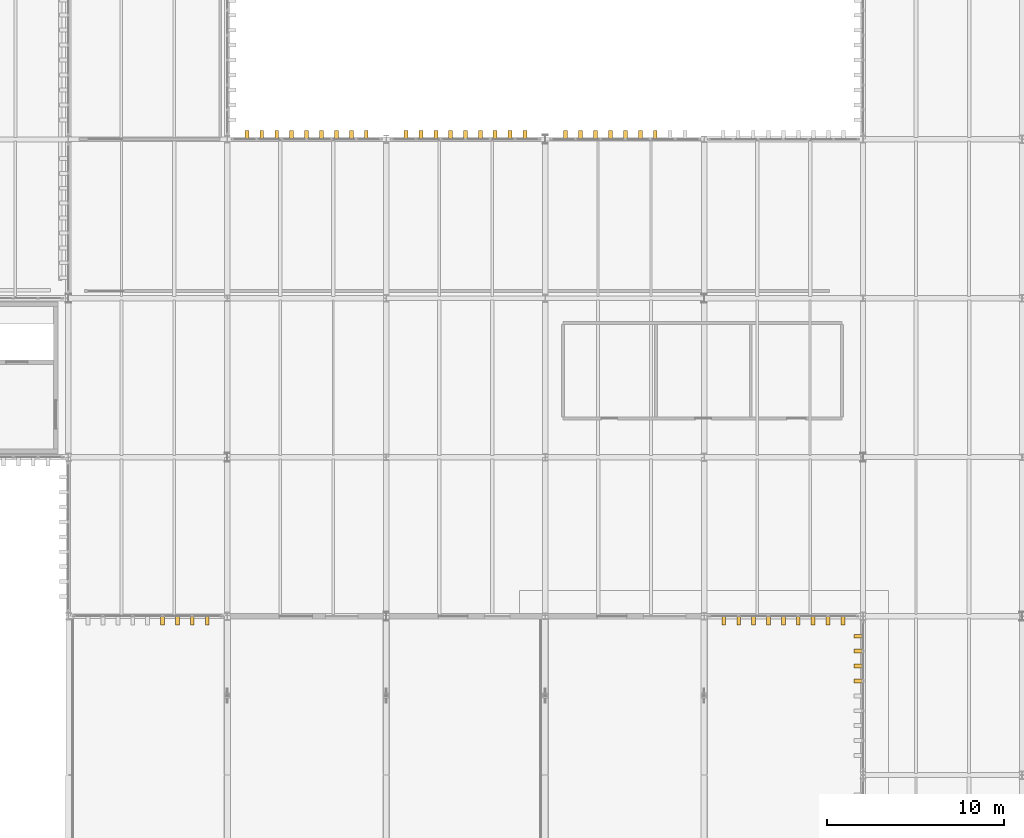
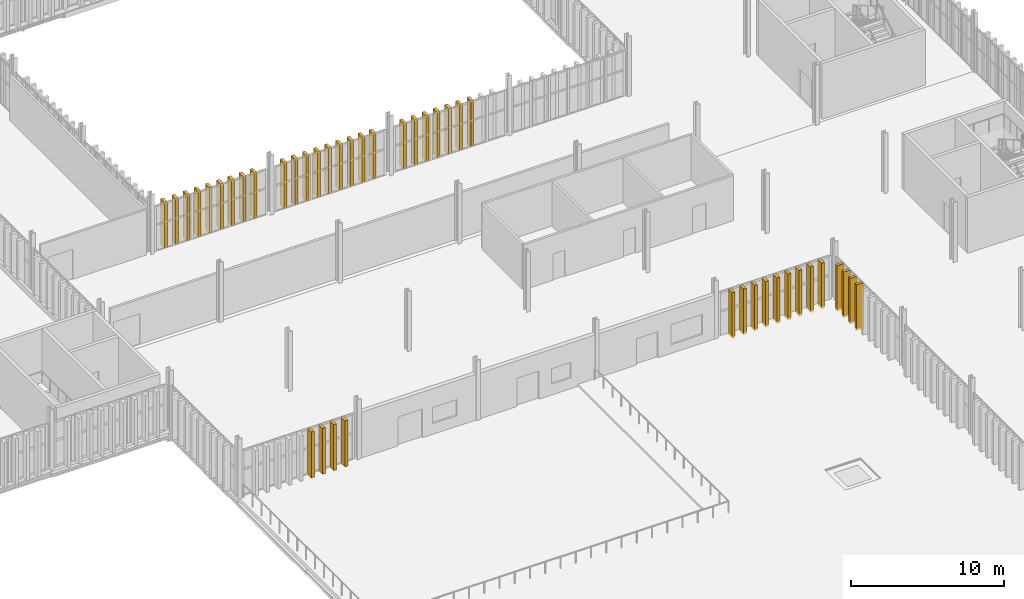
# One storey, part 189 of 196: 42 shading devices.
"""IFC4 building model written with IfcOpenShell, lengths in metres."""

import ifcopenshell
import ifcopenshell.guid

model = None  # the IFC model being written
_history = None  # IfcOwnerHistory: only IFC2X3 demands one
_inside = {}  # id of a spatial element -> (the spatial element, [elements in it])
_under = {}  # id of a project, library or spatial element -> (it, [spatial elements below it])
_declared = {}  # id of a project -> (the project, [libraries it declares])
_typed = {}  # id of a type object -> (the type object, [elements of that type])
_made_of = {}  # id of a material, layer set ... -> (it, [elements and type objects made of it])


def new_model(schema):
    """Start an empty IFC model of exactly this schema.

    Asked for "IFC4X3", IfcOpenShell would pick the latest addendum, in which some entities
    have other attributes; the version numbers below select the first issue.
    IFC2X3 requires an IfcOwnerHistory on every rooted entity: one is made here for all.
    """
    global model, _history
    if schema == "IFC4X3":
        model = ifcopenshell.file(schema_version=(4, 3, 0, 0))
    else:
        model = ifcopenshell.file(schema=schema)
    _inside.clear()
    _under.clear()
    _declared.clear()
    _typed.clear()
    _made_of.clear()
    _history = None
    if model.schema == "IFC2X3":
        org = make("IfcOrganization", Name="unknown")
        user = make(
            "IfcPersonAndOrganization",
            ThePerson=make("IfcPerson", FamilyName="unknown"),
            TheOrganization=org,
        )
        app = make(
            "IfcApplication",
            ApplicationDeveloper=org,
            Version="unknown",
            ApplicationFullName="unknown",
            ApplicationIdentifier="unknown",
        )
        _history = make(
            "IfcOwnerHistory",
            OwningUser=user,
            OwningApplication=app,
            ChangeAction="ADDED",
            CreationDate=0,
        )
    return model


def make(cls, **values):
    """One entity of the class cls with the attributes given. An attribute that is None is left unset."""
    return model.create_entity(
        cls, **{name: value for name, value in values.items() if value is not None}
    )


def rooted(cls, **values):
    """An entity with a GlobalId (a new one), such as an element, a storey or a relation."""
    return make(cls, GlobalId=ifcopenshell.guid.new(), OwnerHistory=_history, **values)


def si_unit(unit_type, name, prefix=None):
    """IfcSIUnit, for example si_unit("LENGTHUNIT", "METRE", prefix="MILLI")."""
    return make("IfcSIUnit", UnitType=unit_type, Prefix=prefix, Name=name)


def assignment(units):
    """IfcUnitAssignment: the units of a project."""
    return None if units is None else make("IfcUnitAssignment", Units=units)


def point(xyz):
    """IfcCartesianPoint."""
    return None if xyz is None else make("IfcCartesianPoint", Coordinates=xyz)


def direction(xyz):
    """IfcDirection."""
    return None if xyz is None else make("IfcDirection", DirectionRatios=xyz)


def frame(location, z_axis=None, x_axis=None):
    """IfcAxis2Placement3D, a coordinate frame: its origin and axes. An axis left out is left unset."""
    return make(
        "IfcAxis2Placement3D",
        Location=point(location),
        Axis=direction(z_axis),
        RefDirection=direction(x_axis),
    )


def frame_2d(location, x_axis=None):
    """IfcAxis2Placement2D, a coordinate frame in the plane: its origin and x axis."""
    return make(
        "IfcAxis2Placement2D", Location=point(location), RefDirection=direction(x_axis)
    )


def origin():
    """The frame at (0, 0, 0) with its axes left unset."""
    return frame((0.0, 0.0, 0.0))


def origin_2d():
    """The frame at (0, 0) in the plane with its x axis left unset."""
    return frame_2d((0.0, 0.0))


def place(relative_to, where):
    """IfcLocalPlacement: puts the frame where relative to a parent placement (None: the world)."""
    return make(
        "IfcLocalPlacement", PlacementRelTo=relative_to, RelativePlacement=where
    )


def context(
    kind, dimensions, precision=None, world=None, true_north=None, identifier=None
):
    """IfcGeometricRepresentationContext, for example the 3D "Model" context."""
    return make(
        "IfcGeometricRepresentationContext",
        ContextIdentifier=identifier,
        ContextType=kind,
        CoordinateSpaceDimension=dimensions,
        Precision=precision,
        WorldCoordinateSystem=world,
        TrueNorth=true_north,
    )


def subcontext(parent, identifier, kind, view, scale=None):
    """IfcGeometricRepresentationSubContext, for example "Body" below "Model"."""
    return make(
        "IfcGeometricRepresentationSubContext",
        ContextIdentifier=identifier,
        ContextType=kind,
        ParentContext=parent,
        TargetScale=scale,
        TargetView=view,
    )


def project(units=None, contexts=None):
    """IfcProject with its units and contexts."""
    return rooted(
        "IfcProject",
        Name="project",
        RepresentationContexts=contexts,
        UnitsInContext=assignment(units),
    )


def spatial(cls, under=None, at=None, **own):
    """A site, building, storey or space (cls), placed at a placement, below another one or the project."""
    s = rooted(cls, ObjectPlacement=at, **own)
    if under is not None:
        _under.setdefault(under.id(), (under, []))[1].append(s)
    return s


def profile(cls, at=None, kind="AREA", **sizes):
    """A parametric profile (cls). Its sizes go by their IFC names, for example OverallWidth=200.0."""
    return make(cls, ProfileType=kind, Position=at, **sizes)


def rectangle(**sizes):
    """IfcRectangleProfileDef."""
    return profile("IfcRectangleProfileDef", **sizes)


def extrude(swept, where, along, depth):
    """IfcExtrudedAreaSolid: the profile swept, set in the frame where, extruded along a direction by depth."""
    return make(
        "IfcExtrudedAreaSolid",
        SweptArea=swept,
        Position=where,
        ExtrudedDirection=direction(along),
        Depth=depth,
    )


def shape(context_of_items, identifier, shape_type, items):
    """IfcShapeRepresentation: the items that make up one representation, for example the "Body"."""
    return make(
        "IfcShapeRepresentation",
        ContextOfItems=context_of_items,
        RepresentationIdentifier=identifier,
        RepresentationType=shape_type,
        Items=items,
    )


def material(Name=None, Category=None):
    """IfcMaterial."""
    return make("IfcMaterial", Name=Name, Category=Category)


def made_of(thing, what):
    """Note that an element or type object is made of a material, layer set ...; save() writes the relation."""
    if what is not None:
        _made_of.setdefault(what.id(), (what, []))[1].append(thing)
    return thing


def type_object(cls, material=None, **own):
    """A type object (cls), such as IfcWallType, which elements share."""
    return made_of(rooted(cls, **own), material)


def element(
    cls,
    number,
    at=None,
    inside=None,
    cuts=None,
    type_object=None,
    material=None,
    context=None,
    identifier="Body",
    shape_type=None,
    held_by="IfcProductDefinitionShape",
    body=None,
    shapes=None,
    **own,
):
    """One element of the class cls, such as IfcWall. Its Tag is "e" and its number.

    at: its placement. inside: the storey or other place that contains it. cuts: it is an
    opening in that element (IfcRelVoidsElement). A single representation is given by context,
    identifier, shape_type and body (its items); several are given by shapes. held_by: the class
    of the entity that holds the representations. save() writes the other relations.
    """
    e = rooted(cls, Tag="e%d" % number, ObjectPlacement=at, **own)
    if body is not None:
        shapes = [shape(context, identifier, shape_type, body)]
    if shapes is not None:
        e.Representation = make(held_by, Representations=shapes)
    if inside is not None:
        _inside.setdefault(inside.id(), (inside, []))[1].append(e)
    if cuts is not None:
        rooted(
            "IfcRelVoidsElement", RelatingBuildingElement=cuts, RelatedOpeningElement=e
        )
    if type_object is not None:
        _typed.setdefault(type_object.id(), (type_object, []))[1].append(e)
    return made_of(e, material)


def aggregate(whole, parts):
    """IfcRelAggregates: a whole, such as a stair, and the parts it consists of."""
    return rooted("IfcRelAggregates", RelatingObject=whole, RelatedObjects=parts)


def save(model, path):
    """Write the relations noted so far, then the file.

    IfcRelAggregates (storeys below a building ...), IfcRelContainedInSpatialStructure (elements
    in a storey), IfcRelDefinesByType, IfcRelAssociatesMaterial and IfcRelDeclares: one each for
    every whole, place, type object, material and project.
    """
    for whole, parts in _under.values():
        aggregate(whole, parts)
    for where, things in _inside.values():
        rooted(
            "IfcRelContainedInSpatialStructure",
            RelatedElements=things,
            RelatingStructure=where,
        )
    for kind, things in _typed.values():
        rooted("IfcRelDefinesByType", RelatedObjects=things, RelatingType=kind)
    for what, things in _made_of.values():
        rooted("IfcRelAssociatesMaterial", RelatedObjects=things, RelatingMaterial=what)
    for by, libraries in _declared.values():
        rooted("IfcRelDeclares", RelatingContext=by, RelatedDefinitions=libraries)
    model.write(path)


model = new_model("IFC4")

# Units and contexts
model_context = context("Model", 3, precision=1e-05, world=origin(), true_north=direction((0.0, 1.0)))
body_context = subcontext(model_context, "Body", "Model", "MODEL_VIEW")
ifc_project = project(units=[si_unit("LENGTHUNIT", "METRE"), si_unit("AREAUNIT", "SQUARE_METRE"), si_unit("VOLUMEUNIT", "CUBIC_METRE"), si_unit("PLANEANGLEUNIT", "RADIAN"), si_unit("MASSUNIT", "GRAM", prefix="KILO")], contexts=[model_context])

# Site, building, storey
site_placement = place(None, origin())
site = spatial("IfcSite", under=ifc_project, at=site_placement, CompositionType="ELEMENT")
building_placement = place(site_placement, origin())
building = spatial("IfcBuilding", under=site, at=building_placement, Name="Barlavento Convention Centre", CompositionType="ELEMENT")
storey_placement = place(building_placement, frame((0.0, 0.0, 18.0)))
storey = spatial("IfcBuildingStorey", under=building, at=storey_placement, Name="L03", CompositionType="ELEMENT", Elevation=18.0)

# Shading devices
ifc_material = material(Name="PVDF white extruded aluminium", Category="aluminium")
shading_device_type = type_object("IfcShadingDeviceType", Name="ARC-SHD-FIN-480", PredefinedType="USERDEFINED", material=ifc_material)
for number, where, z_axis, x_axis, name in (
    (1, (136.10546875, 63.239990234375, 0.0), (0.0, 0.0, 1.0), (1.0, 0.0, 0.0), "White vertical solar shading fin VF01"),
    (2, (136.950927734375, 63.239990234375, 0.0), (0.0, 0.0, 1.0), (1.0, 0.0, 0.0), "White vertical solar shading fin VF01"),
    (3, (137.79638671875, 63.239990234375, 0.0), (0.0, 0.0, 1.0), (1.0, 0.0, 0.0), "White vertical solar shading fin VF01"),
    (4, (138.64208984375, 63.239990234375, 0.0), (0.0, 0.0, 1.0), (1.0, 0.0, 0.0), "White vertical solar shading fin VF01"),
    (5, (139.487548828125, 63.239990234375, 0.0), (0.0, 0.0, 1.0), (1.0, 0.0, 0.0), "White vertical solar shading fin VF01"),
    (6, (140.3330078125, 63.239990234375, 0.0), (0.0, 0.0, 1.0), (1.0, 0.0, 0.0), "White vertical solar shading fin VF01"),
    (7, (141.178466796875, 63.239990234375, 0.0), (0.0, 0.0, 1.0), (1.0, 0.0, 0.0), "White vertical solar shading fin VF01"),
    (8, (142.02392578125, 63.239990234375, 0.0), (0.0, 0.0, 1.0), (1.0, 0.0, 0.0), "White vertical solar shading fin VF01"),
    (9, (142.869384765625, 63.239990234375, 0.0), (0.0, 0.0, 1.0), (1.0, 0.0, 0.0), "White vertical solar shading fin VF01"),
    (10, (145.12548828125, 63.239990234375, 0.0), (0.0, 0.0, 1.0), (1.0, 0.0, 0.0), "White vertical solar shading fin VF01"),
    (11, (145.966064453125, 63.239990234375, 0.0), (0.0, 0.0, 1.0), (1.0, 0.0, 0.0), "White vertical solar shading fin VF01"),
    (12, (146.806396484375, 63.239990234375, 0.0), (0.0, 0.0, 1.0), (1.0, 0.0, 0.0), "White vertical solar shading fin VF01"),
    (13, (147.64697265625, 63.239990234375, 0.0), (0.0, 0.0, 1.0), (1.0, 0.0, 0.0), "White vertical solar shading fin VF01"),
    (14, (148.487548828125, 63.239990234375, 0.0), (0.0, 0.0, 1.0), (1.0, 0.0, 0.0), "White vertical solar shading fin VF01"),
    (15, (149.327880859375, 63.239990234375, 0.0), (0.0, 0.0, 1.0), (1.0, 0.0, 0.0), "White vertical solar shading fin VF01"),
    (16, (150.16845703125, 63.239990234375, 0.0), (0.0, 0.0, 1.0), (1.0, 0.0, 0.0), "White vertical solar shading fin VF01"),
    (17, (151.009033203125, 63.239990234375, 0.0), (0.0, 0.0, 1.0), (1.0, 0.0, 0.0), "White vertical solar shading fin VF01"),
    (18, (151.849609375, 63.239990234375, 0.0), (0.0, 0.0, 1.0), (1.0, 0.0, 0.0), "White vertical solar shading fin VF01"),
    (19, (154.156005859375, 63.239990234375, 0.0), (0.0, 0.0, 1.0), (1.0, 0.0, 0.0), "White vertical solar shading fin VF01"),
    (20, (155.001953125, 63.239990234375, 0.0), (0.0, 0.0, 1.0), (1.0, 0.0, 0.0), "White vertical solar shading fin VF01"),
    (21, (155.847900390625, 63.239990234375, 0.0), (0.0, 0.0, 1.0), (1.0, 0.0, 0.0), "White vertical solar shading fin VF01"),
    (22, (156.694091796875, 63.239990234375, 0.0), (0.0, 0.0, 1.0), (1.0, 0.0, 0.0), "White vertical solar shading fin VF01"),
    (23, (157.5400390625, 63.239990234375, 0.0), (0.0, 0.0, 1.0), (1.0, 0.0, 0.0), "White vertical solar shading fin VF01"),
    (24, (158.385986328125, 63.239990234375, 0.0), (0.0, 0.0, 1.0), (1.0, 0.0, 0.0), "White vertical solar shading fin VF01"),
    (25, (159.23193359375, 63.239990234375, 0.0), (0.0, 0.0, 1.0), (1.0, 0.0, 0.0), "White vertical solar shading fin VF01"),
    (26, (131.3310546875, 35.760009765625, 0.0), (0.0, 0.0, 1.0), (1.0, 0.0, 0.0), "White vertical solar shading fin VF01"),
    (27, (132.174560546875, 35.760009765625, 0.0), (0.0, 0.0, 1.0), (1.0, 0.0, 0.0), "White vertical solar shading fin VF01"),
    (28, (133.01806640625, 35.760009765625, 0.0), (0.0, 0.0, 1.0), (1.0, 0.0, 0.0), "White vertical solar shading fin VF01"),
    (29, (133.861572265625, 35.760009765625, 0.0), (0.0, 0.0, 1.0), (1.0, 0.0, 0.0), "White vertical solar shading fin VF01"),
    (30, (163.113525390625, 35.760009765625, 0.0), (0.0, 0.0, 1.0), (1.0, 0.0, 0.0), "White vertical solar shading fin VF01"),
    (31, (163.95703125, 35.760009765625, 0.0), (0.0, 0.0, 1.0), (1.0, 0.0, 0.0), "White vertical solar shading fin VF01"),
    (32, (164.800537109375, 35.760009765625, 0.0), (0.0, 0.0, 1.0), (1.0, 0.0, 0.0), "White vertical solar shading fin VF01"),
    (33, (165.64404296875, 35.760009765625, 0.0), (0.0, 0.0, 1.0), (1.0, 0.0, 0.0), "White vertical solar shading fin VF01"),
    (34, (166.487548828125, 35.760009765625, 0.0), (0.0, 0.0, 1.0), (1.0, 0.0, 0.0), "White vertical solar shading fin VF01"),
    (35, (167.3310546875, 35.760009765625, 0.0), (0.0, 0.0, 1.0), (1.0, 0.0, 0.0), "White vertical solar shading fin VF01"),
    (36, (168.174560546875, 35.760009765625, 0.0), (0.0, 0.0, 1.0), (1.0, 0.0, 0.0), "White vertical solar shading fin VF01"),
    (37, (169.01806640625, 35.760009765625, 0.0), (0.0, 0.0, 1.0), (1.0, 0.0, 0.0), "White vertical solar shading fin VF01"),
    (38, (169.861572265625, 35.760009765625, 0.0), (0.0, 0.0, 1.0), (1.0, 0.0, 0.0), "White vertical solar shading fin VF01"),
    (39, (170.760009765625, 32.3310546875, 0.0), (0.0, 0.0, 1.0), (0.0, 1.0, 0.0), "White vertical solar shading fin VF01"),
    (40, (170.760009765625, 33.174560546875, 0.0), (0.0, 0.0, 1.0), (0.0, 1.0, 0.0), "White vertical solar shading fin VF01"),
    (41, (170.760009765625, 34.01806640625, 0.0), (0.0, 0.0, 1.0), (0.0, 1.0, 0.0), "White vertical solar shading fin VF01"),
    (42, (170.760009765625, 34.861572265625, 0.0), (0.0, 0.0, 1.0), (0.0, 1.0, 0.0), "White vertical solar shading fin VF01"),
):
    element("IfcShadingDevice", number, at=place(storey_placement, frame(where, z_axis=z_axis, x_axis=x_axis)), inside=storey, type_object=shading_device_type, Name=name, ObjectType="FIN", PredefinedType="USERDEFINED", context=body_context, shape_type="SweptSolid", body=[
        extrude(rectangle(XDim=0.219970703125, YDim=0.52001953125, at=origin_2d()), origin(), (0.0, 0.0, 1.0), 3.64990234375),
    ])

save(model, "model.ifc")
